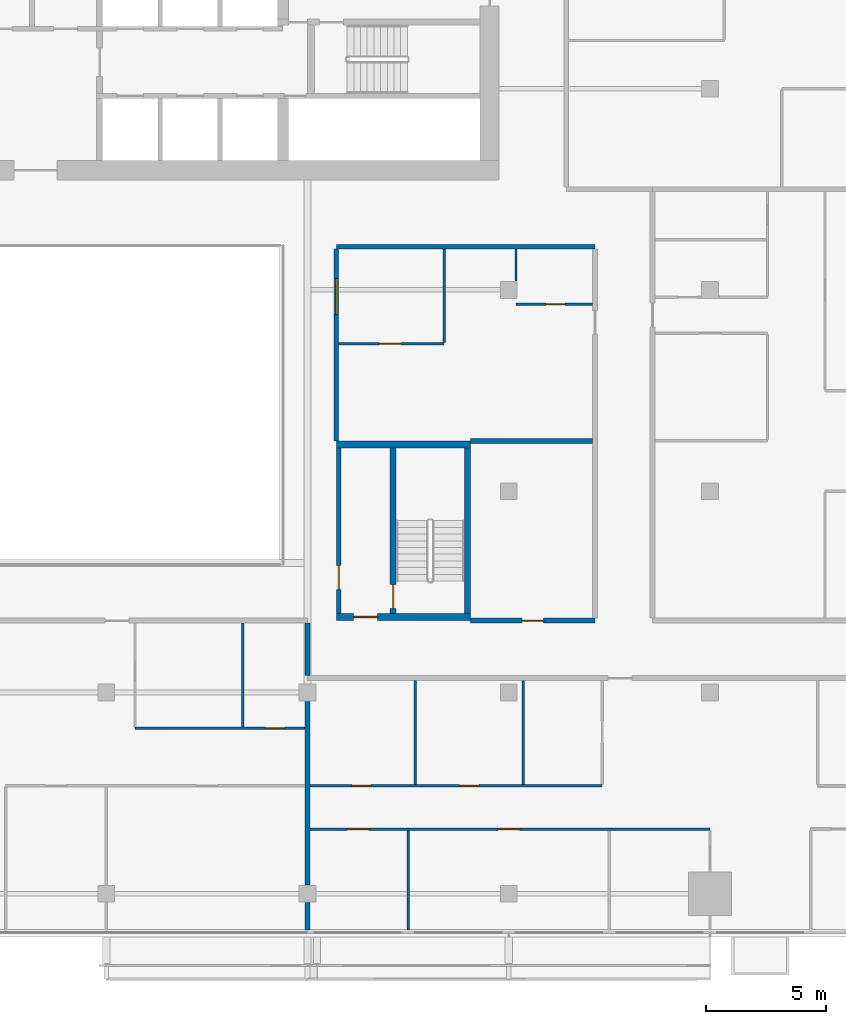
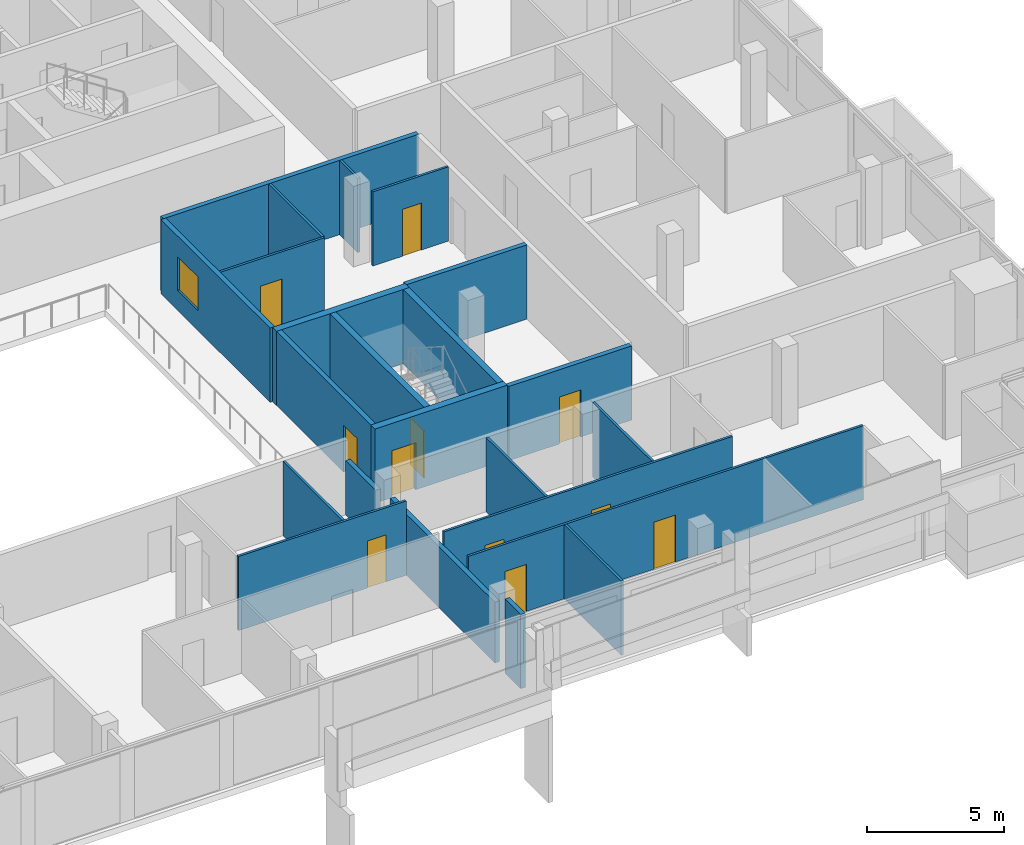
# One storey, part 19 of 28: 23 walls, 11 doors, 1 window, 12 openings.
"""IFC4 building model written with IfcOpenShell, lengths in metres."""

from ifc_helpers import new_model, si_unit, direction, frame, frame_2d, origin, place, context, subcontext, project, spatial, rectangle, extrude, material, layer, layer_set, type_object, element, fill, save


model = new_model("IFC4")

# Units and contexts
model_context = context("Model", 3, precision=1e-05, world=origin(), true_north=direction((0.0, 1.0)))
body_context = subcontext(model_context, "Body", "Model", "MODEL_VIEW")
ifc_project = project(units=[si_unit("LENGTHUNIT", "METRE"), si_unit("AREAUNIT", "SQUARE_METRE"), si_unit("VOLUMEUNIT", "CUBIC_METRE"), si_unit("PLANEANGLEUNIT", "RADIAN"), si_unit("MASSUNIT", "GRAM", prefix="KILO")], contexts=[model_context])

# Site, building, storey
site_placement = place(None, origin())
site = spatial("IfcSite", under=ifc_project, at=site_placement, CompositionType="ELEMENT")
building_placement = place(site_placement, origin())
building = spatial("IfcBuilding", under=site, at=building_placement, Name="Saffron Gate Tower", CompositionType="ELEMENT")
storey_placement = place(building_placement, frame((0.0, 0.0, 154.64990234375)))
storey = spatial("IfcBuildingStorey", under=building, at=storey_placement, Name="L37", CompositionType="ELEMENT", Elevation=154.64990234375)

# Wall, opening, door
ifc_material_1 = material(Name="Gypsum board partition on steel studs", Category="steel")
ifc_layer_1 = layer(ifc_material_1, 0.199951171875)
ifc_layer_set_1 = layer_set([ifc_layer_1], Name="CW10 Core partition 200")
wall_type_1 = type_object("IfcWallType", Name="CW10 Core partition 200", PredefinedType="PARTITIONING", material=ifc_layer_set_1)
wall_1_placement = place(storey_placement, frame((101.5, 43.5, 0.0), z_axis=(0.0, 0.0, 1.0), x_axis=(0.0, 1.0, 0.0)))
wall_1 = element("IfcWall", 1, at=wall_1_placement, inside=storey, type_object=wall_type_1, Name="Wall CW10-L37-E-2", PredefinedType="PARTITIONING", context=body_context, shape_type="SweptSolid", body=[
    extrude(rectangle(XDim=6.89990234375, YDim=0.199951171875, at=frame_2d((3.449951171875, 0.0))), origin(), (0.0, 0.0, 1.0), 3.320068359375),
])
opening_1_placement = place(wall_1_placement, frame((1.0, 0.0, 0.0)))
opening_1 = element("IfcOpeningElement", 2, at=opening_1_placement, cuts=wall_1, Name="Opening CR-22", PredefinedType="OPENING", context=body_context, shape_type="SweptSolid", body=[
    extrude(rectangle(XDim=1.0, YDim=2.10009765625, at=frame_2d((0.5, 1.050048828125))), frame((0.0, 0.10986328125, 0.0), z_axis=(0.0, -1.0, 0.0), x_axis=(1.0, 0.0, 0.0)), (0.0, 0.0, 1.0), 0.219970703125),
])
ifc_material_2 = material(Name="Steel fire door set", Category="steel")
door_type_1 = type_object("IfcDoorType", Name="CD4 Lobby door 1000x2100 EI 120", OperationType="NOTDEFINED", PredefinedType="DOOR", material=ifc_material_2)
door_1_placement = place(opening_1_placement, origin())
door_1 = element("IfcDoor", 3, at=door_1_placement, inside=storey, type_object=door_type_1, Name="DOOR CR-22", OperationType="SINGLE_SWING_LEFT", OverallHeight=2.10009765625, OverallWidth=1.0, PredefinedType="DOOR", context=body_context, shape_type="SweptSolid", body=[
    extrude(rectangle(XDim=1.0, YDim=2.10009765625, at=frame_2d((0.5, 1.050048828125))), frame((0.0, 0.02490234375, 0.0), z_axis=(0.0, -1.0, 0.0), x_axis=(1.0, 0.0, 0.0)), (0.0, 0.0, 1.0), 0.050048828125),
])
fill(opening_1, door_1)

ifc_material_3 = material(Name="Concrete C60", Category="concrete")
ifc_layer_2 = layer(ifc_material_3, 0.25)
ifc_layer_set_2 = layer_set([ifc_layer_2], Name="CW14 RC core wall 250 C60")
wall_type_2 = type_object("IfcWallType", Name="CW14 RC core wall 250 C60", PredefinedType="SOLIDWALL", material=ifc_layer_set_2)
wall_2_placement = place(storey_placement, frame((103.77490234375, 43.5, 0.0), z_axis=(0.0, 0.0, 1.0), x_axis=(0.0, 1.0, 0.0)))
wall_2 = element("IfcWall", 4, at=wall_2_placement, inside=storey, type_object=wall_type_2, Name="Wall CW14-L37-E-3", PredefinedType="SOLIDWALL", context=body_context, shape_type="SweptSolid", body=[
    extrude(rectangle(XDim=6.89990234375, YDim=0.25, at=frame_2d((3.449951171875, 0.0))), origin(), (0.0, 0.0, 1.0), 3.320068359375),
])
opening_2_placement = place(wall_2_placement, frame((0.199951171875, 0.0, 0.0)))
opening_2 = element("IfcOpeningElement", 5, at=opening_2_placement, cuts=wall_2, Name="Opening CR-23", PredefinedType="OPENING", context=body_context, shape_type="SweptSolid", body=[
    extrude(rectangle(XDim=1.0, YDim=2.10009765625, at=frame_2d((0.5, 1.050048828125))), frame((0.0, 0.135009765625, 0.0), z_axis=(0.0, -1.0, 0.0), x_axis=(1.0, 0.0, 0.0)), (0.0, 0.0, 1.0), 0.27001953125),
])
door_type_2 = type_object("IfcDoorType", Name="CD5 Stair door 1000x2100 EI 120", OperationType="NOTDEFINED", PredefinedType="DOOR", material=ifc_material_2)
door_2_placement = place(opening_2_placement, origin())
door_2 = element("IfcDoor", 6, at=door_2_placement, inside=storey, type_object=door_type_2, Name="DOOR CR-23", OperationType="SINGLE_SWING_RIGHT", OverallHeight=2.10009765625, OverallWidth=1.0, PredefinedType="DOOR", context=body_context, shape_type="SweptSolid", body=[
    extrude(rectangle(XDim=1.0, YDim=2.10009765625, at=frame_2d((0.5, 1.050048828125))), frame((0.0, 0.02490234375, 0.0), z_axis=(0.0, -1.0, 0.0), x_axis=(1.0, 0.0, 0.0)), (0.0, 0.0, 1.0), 0.050048828125),
])
fill(opening_2, door_2)

# Wall
wall_3_placement = place(storey_placement, frame((106.875, 43.5, 0.0), z_axis=(0.0, 0.0, 1.0), x_axis=(0.0, 1.0, 0.0)))
element("IfcWall", 7, at=wall_3_placement, inside=storey, type_object=wall_type_2, Name="Wall CW14-L37-E-4", PredefinedType="SOLIDWALL", context=body_context, shape_type="SweptSolid", body=[
    extrude(rectangle(XDim=6.89990234375, YDim=0.25, at=frame_2d((3.449951171875, 0.0))), origin(), (0.0, 0.0, 1.0), 3.320068359375),
])

# Wall, opening, door
ifc_layer_3 = layer(ifc_material_3, 0.300048828125)
ifc_layer_set_3 = layer_set([ifc_layer_3], Name="CW17 RC core wall 300 C60")
wall_type_3 = type_object("IfcWallType", Name="CW17 RC core wall 300 C60", PredefinedType="SOLIDWALL", material=ifc_layer_set_3)
wall_4_placement = place(storey_placement, frame((101.39990234375, 43.35009765625, 0.0), z_axis=(0.0, 0.0, 1.0), x_axis=(1.0, 0.0, 0.0)))
wall_4 = element("IfcWall", 8, at=wall_4_placement, inside=storey, type_object=wall_type_3, Name="Wall CW17-L37-E-1", PredefinedType="SOLIDWALL", context=body_context, shape_type="SweptSolid", body=[
    extrude(rectangle(XDim=5.60009765625, YDim=0.300048828125, at=frame_2d((2.800048828125, 0.0))), origin(), (0.0, 0.0, 1.0), 3.320068359375),
])
opening_3_placement = place(wall_4_placement, frame((0.72509765625, 0.0, 0.0)))
opening_3 = element("IfcOpeningElement", 9, at=opening_3_placement, cuts=wall_4, Name="Opening CR-21", PredefinedType="OPENING", context=body_context, shape_type="SweptSolid", body=[
    extrude(rectangle(XDim=1.0, YDim=2.10009765625, at=frame_2d((0.5, 1.050048828125))), frame((0.0, 0.16015625, 0.0), z_axis=(0.0, -1.0, 0.0), x_axis=(1.0, 0.0, 0.0)), (0.0, 0.0, 1.0), 0.320068359375),
])
door_3_placement = place(opening_3_placement, origin())
door_3 = element("IfcDoor", 10, at=door_3_placement, inside=storey, type_object=door_type_1, Name="DOOR CR-21", OperationType="SINGLE_SWING_RIGHT", OverallHeight=2.10009765625, OverallWidth=1.0, PredefinedType="DOOR", context=body_context, shape_type="SweptSolid", body=[
    extrude(rectangle(XDim=1.0, YDim=2.10009765625, at=frame_2d((0.5, 1.050048828125))), frame((0.0, 0.02490234375, 0.0), z_axis=(0.0, -1.0, 0.0), x_axis=(1.0, 0.0, 0.0)), (0.0, 0.0, 1.0), 0.050048828125),
])
fill(opening_3, door_3)

# Wall
wall_5_placement = place(storey_placement, frame((101.39990234375, 50.550048828125, 0.0), z_axis=(0.0, 0.0, 1.0), x_axis=(1.0, 0.0, 0.0)))
element("IfcWall", 11, at=wall_5_placement, inside=storey, type_object=wall_type_3, Name="Wall CW17-L37-E-5", PredefinedType="SOLIDWALL", context=body_context, shape_type="SweptSolid", body=[
    extrude(rectangle(XDim=5.60009765625, YDim=0.300048828125, at=frame_2d((2.800048828125, 0.0))), origin(), (0.0, 0.0, 1.0), 3.320068359375),
])

# Wall, openings, doors
ifc_material_4 = material(Name="Plasterboard on steel studs", Category="steel")
ifc_layer_4 = layer(ifc_material_4, 0.10009765625)
ifc_layer_set_4 = layer_set([ifc_layer_4], Name="PW1 Partition 100")
wall_type_4 = type_object("IfcWallType", Name="PW1 Partition 100", PredefinedType="PARTITIONING", material=ifc_layer_set_4)
wall_6_placement = place(storey_placement, frame((117.0, 34.5, 0.0), z_axis=(0.0, 0.0, 1.0), x_axis=(-1.0, 0.0, 0.0)))
wall_6 = element("IfcWall", 12, at=wall_6_placement, inside=storey, type_object=wall_type_4, Name="Partition C1-3", PredefinedType="PARTITIONING", context=body_context, shape_type="SweptSolid", body=[
    extrude(rectangle(XDim=16.699951171875, YDim=0.10009765625, at=frame_2d((8.35009765625, 0.0))), origin(), (0.0, 0.0, 1.0), 3.320068359375),
])
opening_4_placement = place(wall_6_placement, frame((7.949951171875, 0.0, 0.0)))
opening_4 = element("IfcOpeningElement", 13, at=opening_4_placement, cuts=wall_6, Name="Opening C1-20", PredefinedType="OPENING", context=body_context, shape_type="SweptSolid", body=[
    extrude(rectangle(XDim=0.89990234375, YDim=2.10009765625, at=frame_2d((0.449951171875, 1.050048828125))), frame((0.0, 0.06005859375, 0.0), z_axis=(0.0, -1.0, 0.0), x_axis=(1.0, 0.0, 0.0)), (0.0, 0.0, 1.0), 0.1201171875),
])
opening_5_placement = place(wall_6_placement, frame((14.25, 0.0, 0.0)))
opening_5 = element("IfcOpeningElement", 14, at=opening_5_placement, cuts=wall_6, Name="Opening C1-19", PredefinedType="OPENING", context=body_context, shape_type="SweptSolid", body=[
    extrude(rectangle(XDim=0.89990234375, YDim=2.10009765625, at=frame_2d((0.449951171875, 1.050048828125))), frame((0.0, 0.06005859375, 0.0), z_axis=(0.0, -1.0, 0.0), x_axis=(1.0, 0.0, 0.0)), (0.0, 0.0, 1.0), 0.1201171875),
])
ifc_material_5 = material(Name="Timber door set", Category="wood")
door_type_3 = type_object("IfcDoorType", Name="RD1 Room door 900x2100", OperationType="NOTDEFINED", PredefinedType="DOOR", material=ifc_material_5)
door_4_placement = place(opening_4_placement, origin())
door_4 = element("IfcDoor", 15, at=door_4_placement, inside=storey, type_object=door_type_3, Name="Door C1-20", OperationType="SINGLE_SWING_LEFT", OverallHeight=2.10009765625, OverallWidth=0.89990234375, PredefinedType="DOOR", context=body_context, shape_type="SweptSolid", body=[
    extrude(rectangle(XDim=0.89990234375, YDim=2.10009765625, at=frame_2d((0.449951171875, 1.050048828125))), frame((0.0, 0.02490234375, 0.0), z_axis=(0.0, -1.0, 0.0), x_axis=(1.0, 0.0, 0.0)), (0.0, 0.0, 1.0), 0.050048828125),
])
fill(opening_4, door_4)
door_5_placement = place(opening_5_placement, origin())
door_5 = element("IfcDoor", 16, at=door_5_placement, inside=storey, type_object=door_type_3, Name="Door C1-19", OperationType="SINGLE_SWING_RIGHT", OverallHeight=2.10009765625, OverallWidth=0.89990234375, PredefinedType="DOOR", context=body_context, shape_type="SweptSolid", body=[
    extrude(rectangle(XDim=0.89990234375, YDim=2.10009765625, at=frame_2d((0.449951171875, 1.050048828125))), frame((0.0, 0.02490234375, 0.0), z_axis=(0.0, -1.0, 0.0), x_axis=(1.0, 0.0, 0.0)), (0.0, 0.0, 1.0), 0.050048828125),
])
fill(opening_5, door_5)

# Wall, opening, door
wall_7_placement = place(storey_placement, frame((93.0, 38.699951171875, 0.0), z_axis=(0.0, 0.0, 1.0), x_axis=(1.0, 0.0, 0.0)))
wall_7 = element("IfcWall", 17, at=wall_7_placement, inside=storey, type_object=wall_type_4, Name="Partition C1-10", PredefinedType="PARTITIONING", context=body_context, shape_type="SweptSolid", body=[
    extrude(rectangle(XDim=7.10009765625, YDim=0.10009765625, at=frame_2d((3.550048828125, 0.0))), origin(), (0.0, 0.0, 1.0), 3.320068359375),
])
opening_6_placement = place(wall_7_placement, frame((5.449951171875, 0.0, 0.0)))
opening_6 = element("IfcOpeningElement", 18, at=opening_6_placement, cuts=wall_7, Name="Opening C1-43", PredefinedType="OPENING", context=body_context, shape_type="SweptSolid", body=[
    extrude(rectangle(XDim=0.800048828125, YDim=2.10009765625, at=frame_2d((0.39990234375, 1.050048828125))), frame((0.0, 0.06005859375, 0.0), z_axis=(0.0, -1.0, 0.0), x_axis=(1.0, 0.0, 0.0)), (0.0, 0.0, 1.0), 0.1201171875),
])
door_type_4 = type_object("IfcDoorType", Name="RD2 Bathroom door 800x2100", OperationType="NOTDEFINED", PredefinedType="DOOR", material=ifc_material_5)
door_6_placement = place(opening_6_placement, origin())
door_6 = element("IfcDoor", 19, at=door_6_placement, inside=storey, type_object=door_type_4, Name="Door C1-43", OperationType="SINGLE_SWING_RIGHT", OverallHeight=2.10009765625, OverallWidth=0.800048828125, PredefinedType="DOOR", context=body_context, shape_type="SweptSolid", body=[
    extrude(rectangle(XDim=0.800048828125, YDim=2.10009765625, at=frame_2d((0.39990234375, 1.050048828125))), frame((0.0, 0.02490234375, 0.0), z_axis=(0.0, -1.0, 0.0), x_axis=(1.0, 0.0, 0.0)), (0.0, 0.0, 1.0), 0.050048828125),
])
fill(opening_6, door_6)

wall_8_placement = place(storey_placement, frame((101.5, 54.75, 0.0), z_axis=(0.0, 0.0, 1.0), x_axis=(1.0, 0.0, 0.0)))
wall_8 = element("IfcWall", 20, at=wall_8_placement, inside=storey, type_object=wall_type_4, Name="Partition C1-33", PredefinedType="PARTITIONING", context=body_context, shape_type="SweptSolid", body=[
    extrude(rectangle(XDim=4.39990234375, YDim=0.10009765625, at=frame_2d((2.199951171875, 0.0))), origin(), (0.0, 0.0, 1.0), 3.320068359375),
])
opening_7_placement = place(wall_8_placement, frame((1.699951171875, 0.0, 0.0)))
opening_7 = element("IfcOpeningElement", 21, at=opening_7_placement, cuts=wall_8, Name="Opening C1-38", PredefinedType="OPENING", context=body_context, shape_type="SweptSolid", body=[
    extrude(rectangle(XDim=0.89990234375, YDim=2.10009765625, at=frame_2d((0.449951171875, 1.050048828125))), frame((0.0, 0.06005859375, 0.0), z_axis=(0.0, -1.0, 0.0), x_axis=(1.0, 0.0, 0.0)), (0.0, 0.0, 1.0), 0.1201171875),
])
door_7_placement = place(opening_7_placement, origin())
door_7 = element("IfcDoor", 22, at=door_7_placement, inside=storey, type_object=door_type_3, Name="Door C1-38", OperationType="SINGLE_SWING_LEFT", OverallHeight=2.10009765625, OverallWidth=0.89990234375, PredefinedType="DOOR", context=body_context, shape_type="SweptSolid", body=[
    extrude(rectangle(XDim=0.89990234375, YDim=2.10009765625, at=frame_2d((0.449951171875, 1.050048828125))), frame((0.0, 0.02490234375, 0.0), z_axis=(0.0, -1.0, 0.0), x_axis=(1.0, 0.0, 0.0)), (0.0, 0.0, 1.0), 0.050048828125),
])
fill(opening_7, door_7)

wall_9_placement = place(storey_placement, frame((108.89990234375, 56.39990234375, 0.0), z_axis=(0.0, 0.0, 1.0), x_axis=(1.0, 0.0, 0.0)))
wall_9 = element("IfcWall", 23, at=wall_9_placement, inside=storey, type_object=wall_type_4, Name="Partition C1-35", PredefinedType="PARTITIONING", context=body_context, shape_type="SweptSolid", body=[
    extrude(rectangle(XDim=3.2001953125, YDim=0.10009765625, at=frame_2d((1.60009765625, 0.0))), origin(), (0.0, 0.0, 1.0), 3.320068359375),
])
opening_8_placement = place(wall_9_placement, frame((1.25, 0.0, 0.0)))
opening_8 = element("IfcOpeningElement", 24, at=opening_8_placement, cuts=wall_9, Name="Opening C1-53", PredefinedType="OPENING", context=body_context, shape_type="SweptSolid", body=[
    extrude(rectangle(XDim=0.800048828125, YDim=2.10009765625, at=frame_2d((0.39990234375, 1.050048828125))), frame((0.0, 0.06005859375, 0.0), z_axis=(0.0, -1.0, 0.0), x_axis=(1.0, 0.0, 0.0)), (0.0, 0.0, 1.0), 0.1201171875),
])
door_8_placement = place(opening_8_placement, origin())
door_8 = element("IfcDoor", 25, at=door_8_placement, inside=storey, type_object=door_type_4, Name="Door C1-53", OperationType="SINGLE_SWING_RIGHT", OverallHeight=2.10009765625, OverallWidth=0.800048828125, PredefinedType="DOOR", context=body_context, shape_type="SweptSolid", body=[
    extrude(rectangle(XDim=0.800048828125, YDim=2.10009765625, at=frame_2d((0.39990234375, 1.050048828125))), frame((0.0, 0.02490234375, 0.0), z_axis=(0.0, -1.0, 0.0), x_axis=(1.0, 0.0, 0.0)), (0.0, 0.0, 1.0), 0.050048828125),
])
fill(opening_8, door_8)

# Walls
wall_10_placement = place(storey_placement, frame((97.5, 43.10009765625, 0.0), z_axis=(0.0, 0.0, 1.0), x_axis=(0.0, -1.0, 0.0)))
element("IfcWall", 26, at=wall_10_placement, inside=storey, type_object=wall_type_4, Name="Partition C1-90", PredefinedType="PARTITIONING", context=body_context, shape_type="SweptSolid", body=[
    extrude(rectangle(XDim=4.35009765625, YDim=0.10009765625, at=frame_2d((2.175048828125, 0.0))), origin(), (0.0, 0.0, 1.0), 3.320068359375),
])
wall_11_placement = place(storey_placement, frame((104.39990234375, 34.449951171875, 0.0), z_axis=(0.0, 0.0, 1.0), x_axis=(0.0, -1.0, 0.0)))
element("IfcWall", 27, at=wall_11_placement, inside=storey, type_object=wall_type_4, Name="Partition C1-95", PredefinedType="PARTITIONING", context=body_context, shape_type="SweptSolid", body=[
    extrude(rectangle(XDim=4.169921875, YDim=0.10009765625, at=frame_2d((2.0849609375, 0.0))), origin(), (0.0, 0.0, 1.0), 3.320068359375),
])
wall_12_placement = place(storey_placement, frame((104.699951171875, 40.699951171875, 0.0), z_axis=(0.0, 0.0, 1.0), x_axis=(0.0, -1.0, 0.0)))
element("IfcWall", 28, at=wall_12_placement, inside=storey, type_object=wall_type_4, Name="Partition C1-96", PredefinedType="PARTITIONING", context=body_context, shape_type="SweptSolid", body=[
    extrude(rectangle(XDim=4.349853515625, YDim=0.10009765625, at=frame_2d((2.1748046875, 0.0))), origin(), (0.0, 0.0, 1.0), 3.320068359375),
])
wall_13_placement = place(storey_placement, frame((105.89990234375, 58.699951171875, 0.0), z_axis=(0.0, 0.0, 1.0), x_axis=(0.0, -1.0, 0.0)))
element("IfcWall", 29, at=wall_13_placement, inside=storey, type_object=wall_type_4, Name="Partition C1-97", PredefinedType="PARTITIONING", context=body_context, shape_type="SweptSolid", body=[
    extrude(rectangle(XDim=3.89990234375, YDim=0.10009765625, at=frame_2d((1.949951171875, 0.0))), origin(), (0.0, 0.0, 1.0), 3.320068359375),
])
wall_14_placement = place(storey_placement, frame((108.89990234375, 58.699951171875, 0.0), z_axis=(0.0, 0.0, 1.0), x_axis=(0.0, -1.0, 0.0)))
element("IfcWall", 30, at=wall_14_placement, inside=storey, type_object=wall_type_4, Name="Partition C1-98", PredefinedType="PARTITIONING", context=body_context, shape_type="SweptSolid", body=[
    extrude(rectangle(XDim=1.329833984375, YDim=0.10009765625, at=frame_2d((0.6650390625, 0.0))), origin(), (0.0, 0.0, 1.0), 3.320068359375),
])
wall_15_placement = place(storey_placement, frame((109.199951171875, 40.699951171875, 0.0), z_axis=(0.0, 0.0, 1.0), x_axis=(0.0, -1.0, 0.0)))
element("IfcWall", 31, at=wall_15_placement, inside=storey, type_object=wall_type_4, Name="Partition C1-99", PredefinedType="PARTITIONING", context=body_context, shape_type="SweptSolid", body=[
    extrude(rectangle(XDim=4.349853515625, YDim=0.10009765625, at=frame_2d((2.1748046875, 0.0))), origin(), (0.0, 0.0, 1.0), 3.320068359375),
])

# Wall, openings, doors
wall_16_placement = place(storey_placement, frame((100.300048828125, 36.300048828125, 0.0), z_axis=(0.0, 0.0, 1.0), x_axis=(1.0, 0.0, 0.0)))
wall_16 = element("IfcWall", 32, at=wall_16_placement, inside=storey, type_object=wall_type_4, Name="Partition C1-119", PredefinedType="PARTITIONING", context=body_context, shape_type="SweptSolid", body=[
    extrude(rectangle(XDim=12.199951171875, YDim=0.10009765625, at=frame_2d((6.10009765625, 0.0))), origin(), (0.0, 0.0, 1.0), 3.320068359375),
])
opening_9_placement = place(wall_16_placement, frame((1.75, 0.0, 0.0)))
opening_9 = element("IfcOpeningElement", 33, at=opening_9_placement, cuts=wall_16, Name="Opening C1-44", PredefinedType="OPENING", context=body_context, shape_type="SweptSolid", body=[
    extrude(rectangle(XDim=0.800048828125, YDim=2.10009765625, at=frame_2d((0.39990234375, 1.050048828125))), frame((0.0, 0.06005859375, 0.0), z_axis=(0.0, -1.0, 0.0), x_axis=(1.0, 0.0, 0.0)), (0.0, 0.0, 1.0), 0.1201171875),
])
opening_10_placement = place(wall_16_placement, frame((6.25, 0.0, 0.0)))
opening_10 = element("IfcOpeningElement", 34, at=opening_10_placement, cuts=wall_16, Name="Opening C1-45", PredefinedType="OPENING", context=body_context, shape_type="SweptSolid", body=[
    extrude(rectangle(XDim=0.800048828125, YDim=2.10009765625, at=frame_2d((0.39990234375, 1.050048828125))), frame((0.0, 0.06005859375, 0.0), z_axis=(0.0, -1.0, 0.0), x_axis=(1.0, 0.0, 0.0)), (0.0, 0.0, 1.0), 0.1201171875),
])
door_9_placement = place(opening_9_placement, origin())
door_9 = element("IfcDoor", 35, at=door_9_placement, inside=storey, type_object=door_type_4, Name="Door C1-44", OperationType="SINGLE_SWING_LEFT", OverallHeight=2.10009765625, OverallWidth=0.800048828125, PredefinedType="DOOR", context=body_context, shape_type="SweptSolid", body=[
    extrude(rectangle(XDim=0.800048828125, YDim=2.10009765625, at=frame_2d((0.39990234375, 1.050048828125))), frame((0.0, 0.02490234375, 0.0), z_axis=(0.0, -1.0, 0.0), x_axis=(1.0, 0.0, 0.0)), (0.0, 0.0, 1.0), 0.050048828125),
])
fill(opening_9, door_9)
door_10_placement = place(opening_10_placement, origin())
door_10 = element("IfcDoor", 36, at=door_10_placement, inside=storey, type_object=door_type_4, Name="Door C1-45", OperationType="SINGLE_SWING_RIGHT", OverallHeight=2.10009765625, OverallWidth=0.800048828125, PredefinedType="DOOR", context=body_context, shape_type="SweptSolid", body=[
    extrude(rectangle(XDim=0.800048828125, YDim=2.10009765625, at=frame_2d((0.39990234375, 1.050048828125))), frame((0.0, 0.02490234375, 0.0), z_axis=(0.0, -1.0, 0.0), x_axis=(1.0, 0.0, 0.0)), (0.0, 0.0, 1.0), 0.050048828125),
])
fill(opening_10, door_10)

# Walls
ifc_material_6 = material(Name="Clay brick masonry, rendered", Category="masonry")
ifc_layer_5 = layer(ifc_material_6, 0.199951171875)
ifc_layer_set_5 = layer_set([ifc_layer_5], Name="PW2 Demising wall 200")
wall_type_5 = type_object("IfcWallType", Name="PW2 Demising wall 200", PredefinedType="PARTITIONING", material=ifc_layer_set_5)
wall_17_placement = place(storey_placement, frame((107.0, 50.699951171875, 0.0), z_axis=(0.0, 0.0, 1.0), x_axis=(1.0, 0.0, 0.0)))
element("IfcWall", 37, at=wall_17_placement, inside=storey, type_object=wall_type_5, Name="Wall C1-27", PredefinedType="PARTITIONING", context=body_context, shape_type="SweptSolid", body=[
    extrude(rectangle(XDim=5.10009765625, YDim=0.199951171875, at=frame_2d((2.550048828125, 0.0))), origin(), (0.0, 0.0, 1.0), 3.320068359375),
])
wall_18_placement = place(storey_placement, frame((100.199951171875, 31.429931640625, 0.0), z_axis=(0.0, 0.0, 1.0), x_axis=(0.0, -1.0, 0.0)))
element("IfcWall", 38, at=wall_18_placement, inside=storey, type_object=wall_type_5, Name="Wall C1-92", PredefinedType="PARTITIONING", context=body_context, shape_type="SweptSolid", body=[
    extrude(rectangle(XDim=1.14990234375, YDim=0.199951171875, at=frame_2d((0.574951171875, 0.0))), origin(), (0.0, 0.0, 1.0), 3.320068359375),
])
wall_19_placement = place(storey_placement, frame((100.199951171875, 39.830078125, 0.0), z_axis=(0.0, 0.0, 1.0), x_axis=(0.0, -1.0, 0.0)))
element("IfcWall", 39, at=wall_19_placement, inside=storey, type_object=wall_type_5, Name="Wall C1-93", PredefinedType="PARTITIONING", context=body_context, shape_type="SweptSolid", body=[
    extrude(rectangle(XDim=7.66015625, YDim=0.199951171875, at=frame_2d((3.830078125, 0.0))), origin(), (0.0, 0.0, 1.0), 2.72021484375),
])

# Wall, opening, door
ifc_layer_6 = layer(ifc_material_6, 0.199951171875)
ifc_layer_set_6 = layer_set([ifc_layer_6], Name="PW3 Corridor wall 200")
wall_type_6 = type_object("IfcWallType", Name="PW3 Corridor wall 200", PredefinedType="PARTITIONING", material=ifc_layer_set_6)
wall_20_placement = place(storey_placement, frame((107.0, 43.199951171875, 0.0), z_axis=(0.0, 0.0, 1.0), x_axis=(1.0, 0.0, 0.0)))
wall_20 = element("IfcWall", 40, at=wall_20_placement, inside=storey, type_object=wall_type_6, Name="Wall C1-18", PredefinedType="PARTITIONING", context=body_context, shape_type="SweptSolid", body=[
    extrude(rectangle(XDim=5.199951171875, YDim=0.199951171875, at=frame_2d((2.60009765625, 0.0))), origin(), (0.0, 0.0, 1.0), 3.320068359375),
])
opening_11_placement = place(wall_20_placement, frame((2.14990234375, 0.0, 0.0)))
opening_11 = element("IfcOpeningElement", 41, at=opening_11_placement, cuts=wall_20, Name="Opening C1-54", PredefinedType="OPENING", context=body_context, shape_type="SweptSolid", body=[
    extrude(rectangle(XDim=0.89990234375, YDim=2.10009765625, at=frame_2d((0.449951171875, 1.050048828125))), frame((0.0, 0.10986328125, 0.0), z_axis=(0.0, -1.0, 0.0), x_axis=(1.0, 0.0, 0.0)), (0.0, 0.0, 1.0), 0.219970703125),
])
door_type_5 = type_object("IfcDoorType", Name="SD1 Service door 900x2100", OperationType="NOTDEFINED", PredefinedType="DOOR", material=ifc_material_2)
door_11_placement = place(opening_11_placement, origin())
door_11 = element("IfcDoor", 42, at=door_11_placement, inside=storey, type_object=door_type_5, Name="Door C1-54", OperationType="SINGLE_SWING_LEFT", OverallHeight=2.10009765625, OverallWidth=0.89990234375, PredefinedType="DOOR", context=body_context, shape_type="SweptSolid", body=[
    extrude(rectangle(XDim=0.89990234375, YDim=2.10009765625, at=frame_2d((0.449951171875, 1.050048828125))), frame((0.0, 0.02490234375, 0.0), z_axis=(0.0, -1.0, 0.0), x_axis=(1.0, 0.0, 0.0)), (0.0, 0.0, 1.0), 0.050048828125),
])
fill(opening_11, door_11)

# Walls
wall_21_placement = place(storey_placement, frame((101.39990234375, 58.800048828125, 0.0), z_axis=(0.0, 0.0, 1.0), x_axis=(1.0, 0.0, 0.0)))
element("IfcWall", 43, at=wall_21_placement, inside=storey, type_object=wall_type_6, Name="Wall C1-40", PredefinedType="PARTITIONING", context=body_context, shape_type="SweptSolid", body=[
    extrude(rectangle(XDim=10.800048828125, YDim=0.199951171875, at=frame_2d((5.39990234375, 0.0))), origin(), (0.0, 0.0, 1.0), 3.320068359375),
])
wall_22_placement = place(storey_placement, frame((100.199951171875, 43.10009765625, 0.0), z_axis=(0.0, 0.0, 1.0), x_axis=(0.0, -1.0, 0.0)))
element("IfcWall", 44, at=wall_22_placement, inside=storey, type_object=wall_type_6, Name="Wall C1-91", PredefinedType="PARTITIONING", context=body_context, shape_type="SweptSolid", body=[
    extrude(rectangle(XDim=2.2001953125, YDim=0.199951171875, at=frame_2d((1.10009765625, 0.0))), origin(), (0.0, 0.0, 1.0), 2.43017578125),
])

# Wall, opening, window
wall_23_placement = place(storey_placement, frame((101.39990234375, 58.699951171875, 0.0), z_axis=(0.0, 0.0, 1.0), x_axis=(0.0, -1.0, 0.0)))
wall_23 = element("IfcWall", 45, at=wall_23_placement, inside=storey, type_object=wall_type_6, Name="Wall C1-94", PredefinedType="PARTITIONING", context=body_context, shape_type="SweptSolid", body=[
    extrude(rectangle(XDim=8.0, YDim=0.199951171875, at=frame_2d((4.0, 0.0))), origin(), (0.0, 0.0, 1.0), 3.320068359375),
])
opening_12_placement = place(wall_23_placement, frame((1.22509765625, 0.0, 0.89990234375)))
opening_12 = element("IfcOpeningElement", 46, at=opening_12_placement, cuts=wall_23, Name="Opening GW1", PredefinedType="OPENING", context=body_context, shape_type="SweptSolid", body=[
    extrude(rectangle(XDim=1.5, YDim=1.5, at=frame_2d((0.75, 0.75))), frame((0.0, 0.10986328125, 0.0), z_axis=(0.0, -1.0, 0.0), x_axis=(1.0, 0.0, 0.0)), (0.0, 0.0, 1.0), 0.219970703125),
])
ifc_material_7 = material(Name="Fire-resisting laminated glass in steel frame", Category="steel")
ifc_layer_7 = layer(ifc_material_7, 0.06005859375)
ifc_layer_set_7 = layer_set([ifc_layer_7], Name="GW1 Gallery window 1500x1500")
window_type = type_object("IfcWindowType", Name="GW1 Gallery window 1500x1500", PartitioningType="SINGLE_PANEL", PredefinedType="WINDOW", material=ifc_layer_set_7)
window_placement = place(opening_12_placement, origin())
window = element("IfcWindow", 47, at=window_placement, inside=storey, type_object=window_type, Name="GW1 window C1-K-B1", OverallHeight=1.5, OverallWidth=1.5, PartitioningType="SINGLE_PANEL", PredefinedType="WINDOW", context=body_context, shape_type="SweptSolid", body=[
    extrude(rectangle(XDim=1.5, YDim=1.5, at=frame_2d((0.75, 0.75))), frame((0.0, 0.030029296875, 0.0), z_axis=(0.0, -1.0, 0.0), x_axis=(1.0, 0.0, 0.0)), (0.0, 0.0, 1.0), 0.06005859375),
])
fill(opening_12, window)

save(model, "model.ifc")
